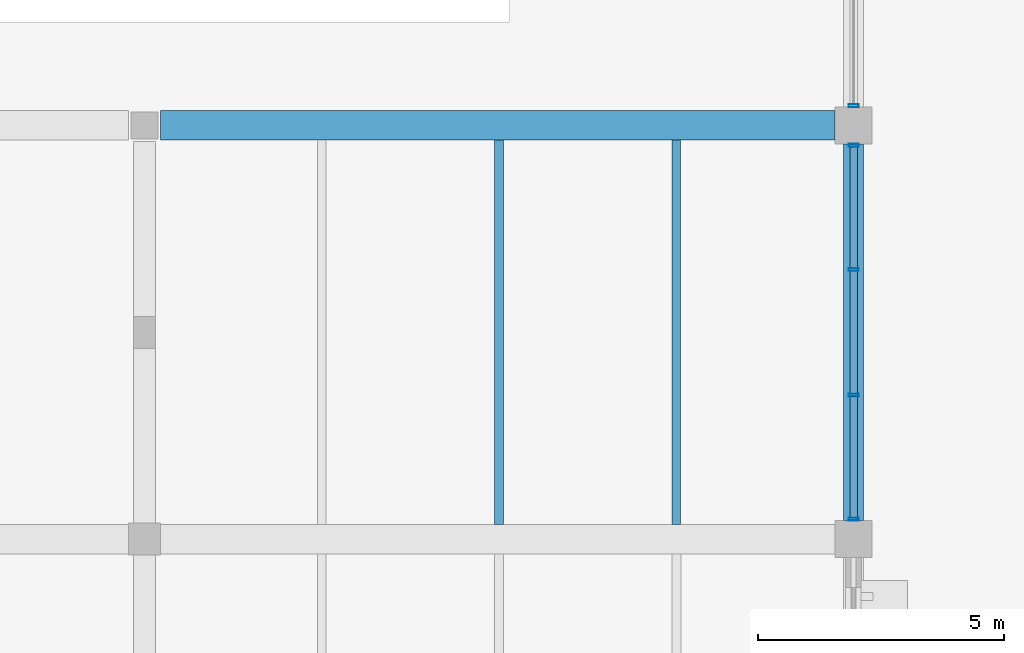
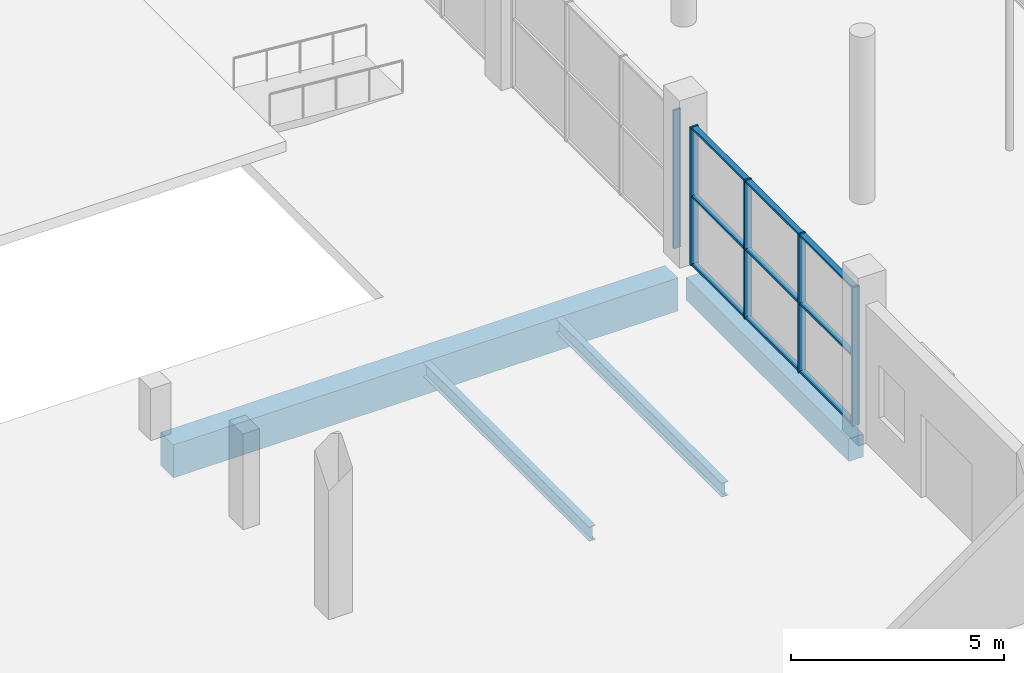
# One storey, part 34 of 130: 14 members, 4 beams, 2 elements without a shape of their own.
"""IFC4 building model written with IfcOpenShell, lengths in metres."""

from ifc_helpers import new_model, si_unit, direction, frame, origin, origin_2d, place, context, subcontext, project, spatial, rectangle, hollow_rectangle, i_section, extrude, material, material_profile, profile_set, type_object, element, aggregate, save


model = new_model("IFC4")

# Units and contexts
model_context = context("Model", 3, precision=1e-05, world=origin(), true_north=direction((0.0, 1.0)))
body_context = subcontext(model_context, "Body", "Model", "MODEL_VIEW")
ifc_project = project(units=[si_unit("LENGTHUNIT", "METRE"), si_unit("AREAUNIT", "SQUARE_METRE"), si_unit("VOLUMEUNIT", "CUBIC_METRE"), si_unit("PLANEANGLEUNIT", "RADIAN"), si_unit("MASSUNIT", "GRAM", prefix="KILO"), si_unit("THERMODYNAMICTEMPERATUREUNIT", "KELVIN")], contexts=[model_context])

# Site, building, storey
site_placement = place(None, origin())
site = spatial("IfcSite", under=ifc_project, at=site_placement, CompositionType="ELEMENT")
building_placement = place(site_placement, origin())
building = spatial("IfcBuilding", under=site, at=building_placement, Name="Nduvali Passage Aquatics Centre", CompositionType="ELEMENT")
storey_placement = place(building_placement, origin())
storey = spatial("IfcBuildingStorey", under=building, at=storey_placement, Name="L00", CompositionType="ELEMENT", Elevation=0.0)

# Curtain wall, members
ifc_material_1 = material(Name="Aluminium EN AW-6063 T6", Category="aluminium")
curtain_wall_type = type_object("IfcCurtainWallType", Name="ENV-CW-HALL", PredefinedType="NOTDEFINED", material=ifc_material_1)
curtain_wall_1_placement = place(storey_placement, origin())
curtain_wall_1 = element("IfcCurtainWall", 1, at=curtain_wall_1_placement, inside=storey, type_object=curtain_wall_type, Name="L00 East Passage Pool Hall Lower Glazing 018", PredefinedType="NOTDEFINED")
ifc_material_profile_1 = material_profile(ifc_material_1, hollow_rectangle(XDim=0.06005859375, YDim=0.199951171875, WallThickness=0.00390625, at=origin_2d()), Name="ALU MULLION 60x200x4")
ifc_profile_set_1 = profile_set([ifc_material_profile_1], Name="Aluminium EN AW-6063 T6")
member_type_1 = type_object("IfcMemberType", Name="ENV-MEM-MUL80", PredefinedType="MULLION", material=ifc_profile_set_1)
member_1_placement = place(storey_placement, frame((126.0, 34.0048828125, 0.0), z_axis=(0.0, 0.0, 1.0), x_axis=(0.0, 1.0, 0.0)))
member_1 = element("IfcMember", 2, at=member_1_placement, type_object=member_type_1, Name="East Passage Pool Hall Lower Glazing Mullion 1", PredefinedType="MULLION", context=body_context, shape_type="SweptSolid", body=[
    extrude(hollow_rectangle(XDim=0.06005859375, YDim=0.199951171875, WallThickness=0.00390625, at=origin_2d()), origin(), (0.0, 0.0, 1.0), 3.976318359375),
])
member_2_placement = place(storey_placement, frame((126.0, 36.52490234375, 0.0), z_axis=(0.0, 0.0, 1.0), x_axis=(0.0, 1.0, 0.0)))
member_2 = element("IfcMember", 3, at=member_2_placement, type_object=member_type_1, Name="East Passage Pool Hall Lower Glazing Mullion 2", PredefinedType="MULLION", context=body_context, shape_type="SweptSolid", body=[
    extrude(hollow_rectangle(XDim=0.06005859375, YDim=0.199951171875, WallThickness=0.00390625, at=origin_2d()), origin(), (0.0, 0.0, 1.0), 3.976318359375),
])
member_3_placement = place(storey_placement, frame((126.0, 39.074951171875, 0.0), z_axis=(0.0, 0.0, 1.0), x_axis=(0.0, 1.0, 0.0)))
member_3 = element("IfcMember", 4, at=member_3_placement, type_object=member_type_1, Name="East Passage Pool Hall Lower Glazing Mullion 3", PredefinedType="MULLION", context=body_context, shape_type="SweptSolid", body=[
    extrude(hollow_rectangle(XDim=0.06005859375, YDim=0.199951171875, WallThickness=0.00390625, at=origin_2d()), origin(), (0.0, 0.0, 1.0), 3.976318359375),
])
member_4_placement = place(storey_placement, frame((126.0, 41.594970703125, 0.0), z_axis=(0.0, 0.0, 1.0), x_axis=(0.0, 1.0, 0.0)))
member_4 = element("IfcMember", 5, at=member_4_placement, type_object=member_type_1, Name="East Passage Pool Hall Lower Glazing Mullion 4", PredefinedType="MULLION", context=body_context, shape_type="SweptSolid", body=[
    extrude(hollow_rectangle(XDim=0.06005859375, YDim=0.199951171875, WallThickness=0.00390625, at=origin_2d()), origin(), (0.0, 0.0, 1.0), 3.976318359375),
])

# Curtain wall, member
curtain_wall_2_placement = place(storey_placement, origin())
curtain_wall_2 = element("IfcCurtainWall", 6, at=curtain_wall_2_placement, inside=storey, type_object=curtain_wall_type, Name="L00 East Passage Pool Hall Lower Glazing 022", PredefinedType="NOTDEFINED")
member_5_placement = place(storey_placement, frame((126.0, 42.405029296875, 0.0), z_axis=(0.0, 0.0, 1.0), x_axis=(0.0, 1.0, 0.0)))
member_5 = element("IfcMember", 7, at=member_5_placement, type_object=member_type_1, Name="East Passage Pool Hall Lower Glazing Mullion 1", PredefinedType="MULLION", context=body_context, shape_type="SweptSolid", body=[
    extrude(hollow_rectangle(XDim=0.06005859375, YDim=0.199951171875, WallThickness=0.00390625, at=origin_2d()), origin(), (0.0, 0.0, 1.0), 3.976318359375),
])
aggregate(curtain_wall_2, [member_5])

# Member
ifc_material_profile_2 = material_profile(ifc_material_1, hollow_rectangle(XDim=0.14990234375, YDim=0.06005859375, WallThickness=0.00390625, at=origin_2d()), Name="ALU TRANSOM 150x60x4")
ifc_profile_set_2 = profile_set([ifc_material_profile_2], Name="Aluminium EN AW-6063 T6")
member_type_2 = type_object("IfcMemberType", Name="ENV-MEM-TRN80", PredefinedType="USERDEFINED", material=ifc_profile_set_2)
member_6_placement = place(storey_placement, frame((126.0, 34.034912109375, 0.030029296875), z_axis=(0.0, 1.0, 0.0), x_axis=(-1.0, 0.0, 0.0)))
member_6 = element("IfcMember", 8, at=member_6_placement, type_object=member_type_2, Name="East Passage Pool Hall Lower Glazing Transom B1-R0", ObjectType="TRANSOM", PredefinedType="USERDEFINED", context=body_context, shape_type="SweptSolid", body=[
    extrude(hollow_rectangle(XDim=0.14990234375, YDim=0.06005859375, WallThickness=0.00390625, at=origin_2d()), origin(), (0.0, 0.0, 1.0), 2.460205078125),
])

member_7_placement = place(storey_placement, frame((126.0, 34.034912109375, 1.98828125), z_axis=(0.0, 1.0, 0.0), x_axis=(-1.0, 0.0, 0.0)))
member_7 = element("IfcMember", 9, at=member_7_placement, type_object=member_type_2, Name="East Passage Pool Hall Lower Glazing Transom B1-R1", ObjectType="TRANSOM", PredefinedType="USERDEFINED", context=body_context, shape_type="SweptSolid", body=[
    extrude(hollow_rectangle(XDim=0.14990234375, YDim=0.06005859375, WallThickness=0.00390625, at=origin_2d()), origin(), (0.0, 0.0, 1.0), 2.460205078125),
])

member_8_placement = place(storey_placement, frame((126.0, 34.034912109375, 3.9462890625), z_axis=(0.0, 1.0, 0.0), x_axis=(-1.0, 0.0, 0.0)))
member_8 = element("IfcMember", 10, at=member_8_placement, type_object=member_type_2, Name="East Passage Pool Hall Lower Glazing Transom B1-R2", ObjectType="TRANSOM", PredefinedType="USERDEFINED", context=body_context, shape_type="SweptSolid", body=[
    extrude(hollow_rectangle(XDim=0.14990234375, YDim=0.06005859375, WallThickness=0.00390625, at=origin_2d()), origin(), (0.0, 0.0, 1.0), 2.460205078125),
])

member_9_placement = place(storey_placement, frame((126.0, 36.554931640625, 0.030029296875), z_axis=(0.0, 1.0, 0.0), x_axis=(-1.0, 0.0, 0.0)))
member_9 = element("IfcMember", 11, at=member_9_placement, type_object=member_type_2, Name="East Passage Pool Hall Lower Glazing Transom B2-R0", ObjectType="TRANSOM", PredefinedType="USERDEFINED", context=body_context, shape_type="SweptSolid", body=[
    extrude(hollow_rectangle(XDim=0.14990234375, YDim=0.06005859375, WallThickness=0.00390625, at=origin_2d()), origin(), (0.0, 0.0, 1.0), 2.489990234375),
])

member_10_placement = place(storey_placement, frame((126.0, 36.554931640625, 1.98828125), z_axis=(0.0, 1.0, 0.0), x_axis=(-1.0, 0.0, 0.0)))
member_10 = element("IfcMember", 12, at=member_10_placement, type_object=member_type_2, Name="East Passage Pool Hall Lower Glazing Transom B2-R1", ObjectType="TRANSOM", PredefinedType="USERDEFINED", context=body_context, shape_type="SweptSolid", body=[
    extrude(hollow_rectangle(XDim=0.14990234375, YDim=0.06005859375, WallThickness=0.00390625, at=origin_2d()), origin(), (0.0, 0.0, 1.0), 2.489990234375),
])

member_11_placement = place(storey_placement, frame((126.0, 36.554931640625, 3.9462890625), z_axis=(0.0, 1.0, 0.0), x_axis=(-1.0, 0.0, 0.0)))
member_11 = element("IfcMember", 13, at=member_11_placement, type_object=member_type_2, Name="East Passage Pool Hall Lower Glazing Transom B2-R2", ObjectType="TRANSOM", PredefinedType="USERDEFINED", context=body_context, shape_type="SweptSolid", body=[
    extrude(hollow_rectangle(XDim=0.14990234375, YDim=0.06005859375, WallThickness=0.00390625, at=origin_2d()), origin(), (0.0, 0.0, 1.0), 2.489990234375),
])

member_12_placement = place(storey_placement, frame((126.0, 39.10498046875, 0.030029296875), z_axis=(0.0, 1.0, 0.0), x_axis=(-1.0, 0.0, 0.0)))
member_12 = element("IfcMember", 14, at=member_12_placement, type_object=member_type_2, Name="East Passage Pool Hall Lower Glazing Transom B3-R0", ObjectType="TRANSOM", PredefinedType="USERDEFINED", context=body_context, shape_type="SweptSolid", body=[
    extrude(hollow_rectangle(XDim=0.14990234375, YDim=0.06005859375, WallThickness=0.00390625, at=origin_2d()), origin(), (0.0, 0.0, 1.0), 2.4599609375),
])

member_13_placement = place(storey_placement, frame((126.0, 39.10498046875, 1.98828125), z_axis=(0.0, 1.0, 0.0), x_axis=(-1.0, 0.0, 0.0)))
member_13 = element("IfcMember", 15, at=member_13_placement, type_object=member_type_2, Name="East Passage Pool Hall Lower Glazing Transom B3-R1", ObjectType="TRANSOM", PredefinedType="USERDEFINED", context=body_context, shape_type="SweptSolid", body=[
    extrude(hollow_rectangle(XDim=0.14990234375, YDim=0.06005859375, WallThickness=0.00390625, at=origin_2d()), origin(), (0.0, 0.0, 1.0), 2.4599609375),
])

member_14_placement = place(storey_placement, frame((126.0, 39.10498046875, 3.9462890625), z_axis=(0.0, 1.0, 0.0), x_axis=(-1.0, 0.0, 0.0)))
member_14 = element("IfcMember", 16, at=member_14_placement, type_object=member_type_2, Name="East Passage Pool Hall Lower Glazing Transom B3-R2", ObjectType="TRANSOM", PredefinedType="USERDEFINED", context=body_context, shape_type="SweptSolid", body=[
    extrude(hollow_rectangle(XDim=0.14990234375, YDim=0.06005859375, WallThickness=0.00390625, at=origin_2d()), origin(), (0.0, 0.0, 1.0), 2.4599609375),
])

aggregate(curtain_wall_1, [member_1, member_2, member_3, member_4, member_6, member_7, member_8, member_9, member_10, member_11, member_12, member_13, member_14])

# Beams
ifc_material_2 = material(Name="Concrete C40/50", Category="concrete")
ifc_material_profile_3 = material_profile(ifc_material_2, rectangle(XDim=0.60009765625, YDim=0.949951171875, at=origin_2d()), Name="RC 600x950")
ifc_profile_set_3 = profile_set([ifc_material_profile_3], Name="Concrete C40/50")
beam_type_1 = type_object("IfcBeamType", Name="STR-BM-RC6095", PredefinedType="BEAM", material=ifc_profile_set_3)
beam_1_placement = place(storey_placement, frame((111.925048828125, 42.0, -0.794921875), z_axis=(1.0, 0.0, 0.0), x_axis=(0.0, 1.0, 0.0)))
element("IfcBeam", 17, at=beam_1_placement, inside=storey, type_object=beam_type_1, Name="L00 Primary X-Girder B1-0047", PredefinedType="BEAM", context=body_context, shape_type="SweptSolid", body=[
    extrude(rectangle(XDim=0.60009765625, YDim=0.949951171875, at=origin_2d()), origin(), (0.0, 0.0, 1.0), 13.699951171875),
])
ifc_material_3 = material(Name="Steel S355", Category="steel")
ifc_material_profile_4 = material_profile(ifc_material_3, i_section(OverallWidth=0.1787109375, OverallDepth=0.409423828125, WebThickness=0.0087890625, FlangeThickness=0.014404296875, FilletRadius=0.01025390625, at=origin_2d()), Name="UKB 406x178x67")
ifc_profile_set_4 = profile_set([ifc_material_profile_4], Name="Steel S355")
beam_type_2 = type_object("IfcBeamType", Name="STR-JST-UKB406", PredefinedType="JOIST", material=ifc_profile_set_4)
for number, where, z_axis, x_axis, name in (
    (18, (118.800048828125, 33.89990234375, -0.52880859375), (0.0, 1.0, 0.0), (-1.0, 0.0, 0.0), "L00 Secondary Joist J1-0327"),
    (19, (122.39990234375, 33.89990234375, -0.52880859375), (0.0, 1.0, 0.0), (-1.0, 0.0, 0.0), "L00 Secondary Joist J1-0328"),
):
    element("IfcBeam", number, at=place(storey_placement, frame(where, z_axis=z_axis, x_axis=x_axis)), inside=storey, type_object=beam_type_2, Name=name, PredefinedType="JOIST", context=body_context, shape_type="SweptSolid", body=[
        extrude(i_section(OverallWidth=0.1787109375, OverallDepth=0.409423828125, WebThickness=0.0087890625, FlangeThickness=0.014404296875, FilletRadius=0.01025390625, at=origin_2d()), origin(), (0.0, 0.0, 1.0), 7.800048828125),
    ])
ifc_material_profile_5 = material_profile(ifc_material_2, rectangle(XDim=0.39990234375, YDim=0.64990234375, at=origin_2d()), Name="RC 400x650")
ifc_profile_set_5 = profile_set([ifc_material_profile_5], Name="Concrete C40/50")
beam_type_3 = type_object("IfcBeamType", Name="STR-SPN-RC4065-EXT", PredefinedType="SPANDREL", material=ifc_profile_set_5)
beam_2_placement = place(storey_placement, frame((126.0, 33.97509765625, -0.64501953125), z_axis=(0.0, 1.0, 0.0), x_axis=(-1.0, 0.0, 0.0)))
element("IfcBeam", 20, at=beam_2_placement, inside=storey, type_object=beam_type_3, Name="L00 Primary Y-Girder SP1E-0191", PredefinedType="SPANDREL", context=body_context, shape_type="SweptSolid", body=[
    extrude(rectangle(XDim=0.39990234375, YDim=0.64990234375, at=origin_2d()), origin(), (0.0, 0.0, 1.0), 7.64990234375),
])

save(model, "model.ifc")
